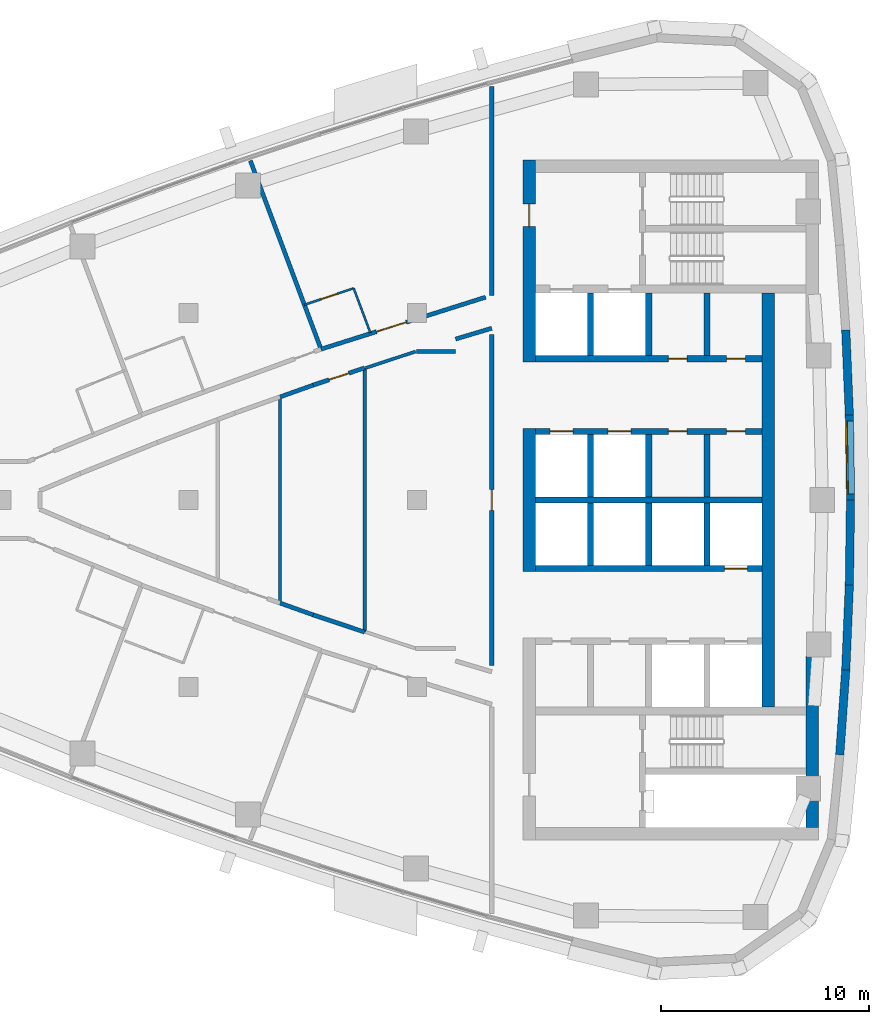
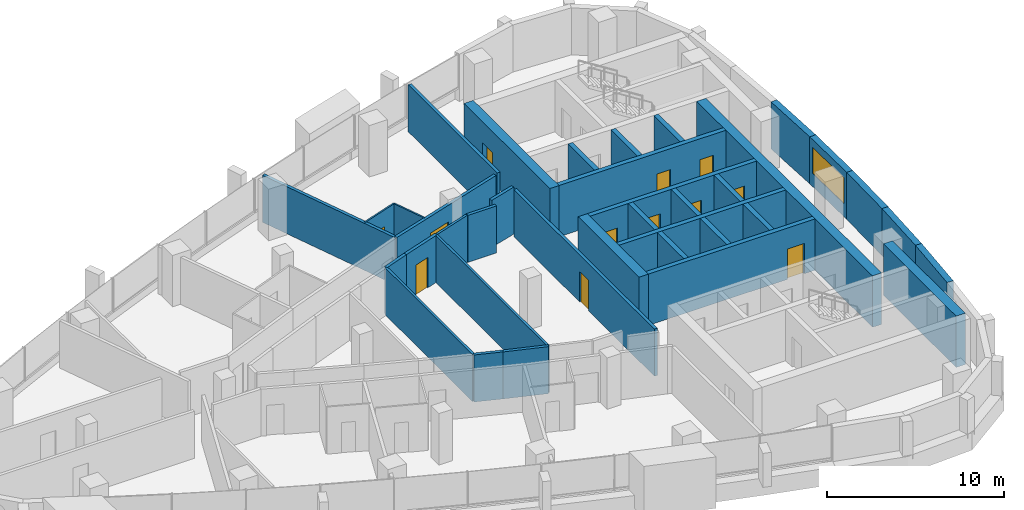
# One storey, part 10 of 15: 37 walls, 12 doors, 1 window, 13 openings.
"""IFC4 building model written with IfcOpenShell, lengths in metres."""

from ifc_helpers import new_model, si_unit, direction, frame, frame_2d, origin, place, context, subcontext, project, spatial, polyline, rectangle, outline, extrude, material, layer, layer_set, type_object, element, fill, save


model = new_model("IFC4")

# Units and contexts
model_context = context("Model", 3, precision=1e-05, world=origin(), true_north=direction((0.0, 1.0)))
body_context = subcontext(model_context, "Body", "Model", "MODEL_VIEW")
ifc_project = project(units=[si_unit("LENGTHUNIT", "METRE"), si_unit("AREAUNIT", "SQUARE_METRE"), si_unit("VOLUMEUNIT", "CUBIC_METRE"), si_unit("PLANEANGLEUNIT", "RADIAN"), si_unit("MASSUNIT", "GRAM", prefix="KILO")], contexts=[model_context])

# Site, building, storey
site_placement = place(None, origin())
site = spatial("IfcSite", under=ifc_project, at=site_placement, CompositionType="ELEMENT")
building_placement = place(site_placement, origin())
building = spatial("IfcBuilding", under=site, at=building_placement, Name="Ostrand Prow Hotel Tower", CompositionType="ELEMENT")
storey_placement = place(building_placement, frame((0.0, 0.0, 242.10009765625)))
storey = spatial("IfcBuildingStorey", under=building, at=storey_placement, Name="L61", CompositionType="ELEMENT", Elevation=242.10009765625)

# Wall
ifc_material_1 = material(Name="Concrete C50/60", Category="concrete")
ifc_layer_1 = layer(ifc_material_1, 0.300048828125)
ifc_layer_set_1 = layer_set([ifc_layer_1], Name="Concrete C50/60")
wall_type_1 = type_object("IfcWallType", Name="Core wall 300 C50/60", PredefinedType="SHEAR", material=ifc_layer_set_1)
wall_1_placement = place(storey_placement, frame((50.699951171875, 0.0, 0.0), z_axis=(0.0, 0.0, 1.0), x_axis=(1.0, 0.0, 0.0)))
element("IfcWall", 1, at=wall_1_placement, inside=storey, type_object=wall_type_1, Name="Core wall PW-C", PredefinedType="SHEAR", context=body_context, shape_type="SweptSolid", body=[
    extrude(rectangle(XDim=10.900146484375, YDim=0.300048828125, at=frame_2d((5.4501953125, 0.0))), origin(), (0.0, 0.0, 1.0), 3.5498046875),
])

# Wall, openings, doors
wall_2_placement = place(storey_placement, frame((50.699951171875, 3.300048828125, 0.0), z_axis=(0.0, 0.0, 1.0), x_axis=(1.0, 0.0, 0.0)))
wall_2 = element("IfcWall", 2, at=wall_2_placement, inside=storey, type_object=wall_type_1, Name="Core wall PW-L1-N", PredefinedType="SHEAR", context=body_context, shape_type="SweptSolid", body=[
    extrude(rectangle(XDim=10.900146484375, YDim=0.300048828125, at=frame_2d((5.4501953125, 0.0))), origin(), (0.0, 0.0, 1.0), 3.5498046875),
])
opening_1_placement = place(wall_2_placement, frame((0.699951171875, 0.0, 0.0)))
opening_1 = element("IfcOpeningElement", 3, at=opening_1_placement, cuts=wall_2, Name="Opening LD", PredefinedType="OPENING", context=body_context, shape_type="SweptSolid", body=[
    extrude(rectangle(XDim=1.10009765625, YDim=2.10009765625, at=frame_2d((0.550048828125, 1.050048828125))), frame((0.0, 0.159912109375, 0.0), z_axis=(0.0, -1.0, 0.0), x_axis=(1.0, 0.0, 0.0)), (0.0, 0.0, 1.0), 0.320068359375),
])
opening_2_placement = place(wall_2_placement, frame((3.5, 0.0, 0.0)))
opening_2 = element("IfcOpeningElement", 4, at=opening_2_placement, cuts=wall_2, Name="Opening LD", PredefinedType="OPENING", context=body_context, shape_type="SweptSolid", body=[
    extrude(rectangle(XDim=1.10009765625, YDim=2.10009765625, at=frame_2d((0.550048828125, 1.050048828125))), frame((0.0, 0.159912109375, 0.0), z_axis=(0.0, -1.0, 0.0), x_axis=(1.0, 0.0, 0.0)), (0.0, 0.0, 1.0), 0.320068359375),
])
opening_3_placement = place(wall_2_placement, frame((6.39990234375, 0.0, 0.0)))
opening_3 = element("IfcOpeningElement", 5, at=opening_3_placement, cuts=wall_2, Name="Opening FD2", PredefinedType="OPENING", context=body_context, shape_type="SweptSolid", body=[
    extrude(rectangle(XDim=0.89990234375, YDim=2.10009765625, at=frame_2d((0.449951171875, 1.050048828125))), frame((0.0, 0.159912109375, 0.0), z_axis=(0.0, -1.0, 0.0), x_axis=(1.0, 0.0, 0.0)), (0.0, 0.0, 1.0), 0.320068359375),
])
opening_4_placement = place(wall_2_placement, frame((9.199951171875, 0.0, 0.0)))
opening_4 = element("IfcOpeningElement", 6, at=opening_4_placement, cuts=wall_2, Name="Opening FD2", PredefinedType="OPENING", context=body_context, shape_type="SweptSolid", body=[
    extrude(rectangle(XDim=0.89990234375, YDim=2.10009765625, at=frame_2d((0.449951171875, 1.050048828125))), frame((0.0, 0.159912109375, 0.0), z_axis=(0.0, -1.0, 0.0), x_axis=(1.0, 0.0, 0.0)), (0.0, 0.0, 1.0), 0.320068359375),
])
ifc_material_2 = material(Name="Steel fire door", Category="steel")
door_type_1 = type_object("IfcDoorType", Name="Fire door 900 EI120", OperationType="SINGLE_SWING_LEFT", PredefinedType="DOOR", material=ifc_material_2)
door_1_placement = place(opening_3_placement, origin())
door_1 = element("IfcDoor", 7, at=door_1_placement, inside=storey, type_object=door_type_1, Name="DOOR", OperationType="SINGLE_SWING_LEFT", OverallHeight=2.10009765625, OverallWidth=0.89990234375, PredefinedType="DOOR", context=body_context, shape_type="SweptSolid", body=[
    extrude(rectangle(XDim=0.89990234375, YDim=2.10009765625, at=frame_2d((0.449951171875, 1.050048828125))), frame((0.0, 0.02490234375, 0.0), z_axis=(0.0, -1.0, 0.0), x_axis=(1.0, 0.0, 0.0)), (0.0, 0.0, 1.0), 0.050048828125),
])
fill(opening_3, door_1)
door_2_placement = place(opening_4_placement, origin())
door_2 = element("IfcDoor", 8, at=door_2_placement, inside=storey, type_object=door_type_1, Name="DOOR", OperationType="SINGLE_SWING_LEFT", OverallHeight=2.10009765625, OverallWidth=0.89990234375, PredefinedType="DOOR", context=body_context, shape_type="SweptSolid", body=[
    extrude(rectangle(XDim=0.89990234375, YDim=2.10009765625, at=frame_2d((0.449951171875, 1.050048828125))), frame((0.0, 0.02490234375, 0.0), z_axis=(0.0, -1.0, 0.0), x_axis=(1.0, 0.0, 0.0)), (0.0, 0.0, 1.0), 0.050048828125),
])
fill(opening_4, door_2)
ifc_material_3 = material(Name="Stainless steel door", Category="steel")
door_type_2 = type_object("IfcDoorType", Name="Lift landing door 1100", OperationType="DOUBLE_DOOR_SLIDING", PredefinedType="DOOR", material=ifc_material_3)
door_3_placement = place(opening_1_placement, origin())
door_3 = element("IfcDoor", 9, at=door_3_placement, inside=storey, type_object=door_type_2, Name="LIFT LANDING DOOR", OperationType="DOUBLE_DOOR_SLIDING", OverallHeight=2.10009765625, OverallWidth=1.10009765625, PredefinedType="DOOR", context=body_context, shape_type="SweptSolid", body=[
    extrude(rectangle(XDim=1.10009765625, YDim=2.10009765625, at=frame_2d((0.550048828125, 1.050048828125))), frame((0.0, 0.02490234375, 0.0), z_axis=(0.0, -1.0, 0.0), x_axis=(1.0, 0.0, 0.0)), (0.0, 0.0, 1.0), 0.050048828125),
])
fill(opening_1, door_3)
door_4_placement = place(opening_2_placement, origin())
door_4 = element("IfcDoor", 10, at=door_4_placement, inside=storey, type_object=door_type_2, Name="LIFT LANDING DOOR", OperationType="DOUBLE_DOOR_SLIDING", OverallHeight=2.10009765625, OverallWidth=1.10009765625, PredefinedType="DOOR", context=body_context, shape_type="SweptSolid", body=[
    extrude(rectangle(XDim=1.10009765625, YDim=2.10009765625, at=frame_2d((0.550048828125, 1.050048828125))), frame((0.0, 0.02490234375, 0.0), z_axis=(0.0, -1.0, 0.0), x_axis=(1.0, 0.0, 0.0)), (0.0, 0.0, 1.0), 0.050048828125),
])
fill(opening_2, door_4)

wall_3_placement = place(storey_placement, frame((50.699951171875, 6.800048828125, 0.0), z_axis=(0.0, 0.0, 1.0), x_axis=(1.0, 0.0, 0.0)))
wall_3 = element("IfcWall", 11, at=wall_3_placement, inside=storey, type_object=wall_type_1, Name="Core wall PW-L2-N", PredefinedType="SHEAR", context=body_context, shape_type="SweptSolid", body=[
    extrude(rectangle(XDim=10.900146484375, YDim=0.300048828125, at=frame_2d((5.4501953125, 0.0))), origin(), (0.0, 0.0, 1.0), 3.5498046875),
])
opening_5_placement = place(wall_3_placement, frame((6.39990234375, 0.0, 0.0)))
opening_5 = element("IfcOpeningElement", 12, at=opening_5_placement, cuts=wall_3, Name="Opening FD2", PredefinedType="OPENING", context=body_context, shape_type="SweptSolid", body=[
    extrude(rectangle(XDim=0.89990234375, YDim=2.10009765625, at=frame_2d((0.449951171875, 1.050048828125))), frame((0.0, 0.159912109375, 0.0), z_axis=(0.0, -1.0, 0.0), x_axis=(1.0, 0.0, 0.0)), (0.0, 0.0, 1.0), 0.320068359375),
])
opening_6_placement = place(wall_3_placement, frame((9.199951171875, 0.0, 0.0)))
opening_6 = element("IfcOpeningElement", 13, at=opening_6_placement, cuts=wall_3, Name="Opening FD2", PredefinedType="OPENING", context=body_context, shape_type="SweptSolid", body=[
    extrude(rectangle(XDim=0.89990234375, YDim=2.10009765625, at=frame_2d((0.449951171875, 1.050048828125))), frame((0.0, 0.159912109375, 0.0), z_axis=(0.0, -1.0, 0.0), x_axis=(1.0, 0.0, 0.0)), (0.0, 0.0, 1.0), 0.320068359375),
])
door_5_placement = place(opening_5_placement, origin())
door_5 = element("IfcDoor", 14, at=door_5_placement, inside=storey, type_object=door_type_1, Name="DOOR", OperationType="SINGLE_SWING_LEFT", OverallHeight=2.10009765625, OverallWidth=0.89990234375, PredefinedType="DOOR", context=body_context, shape_type="SweptSolid", body=[
    extrude(rectangle(XDim=0.89990234375, YDim=2.10009765625, at=frame_2d((0.449951171875, 1.050048828125))), frame((0.0, 0.02490234375, 0.0), z_axis=(0.0, -1.0, 0.0), x_axis=(1.0, 0.0, 0.0)), (0.0, 0.0, 1.0), 0.050048828125),
])
fill(opening_5, door_5)
door_6_placement = place(opening_6_placement, origin())
door_6 = element("IfcDoor", 15, at=door_6_placement, inside=storey, type_object=door_type_1, Name="DOOR", OperationType="SINGLE_SWING_LEFT", OverallHeight=2.10009765625, OverallWidth=0.89990234375, PredefinedType="DOOR", context=body_context, shape_type="SweptSolid", body=[
    extrude(rectangle(XDim=0.89990234375, YDim=2.10009765625, at=frame_2d((0.449951171875, 1.050048828125))), frame((0.0, 0.02490234375, 0.0), z_axis=(0.0, -1.0, 0.0), x_axis=(1.0, 0.0, 0.0)), (0.0, 0.0, 1.0), 0.050048828125),
])
fill(opening_6, door_6)

# Walls
for number, where, z_axis, x_axis, name in (
    (16, (53.35009765625, 0.14990234375, 0.0), (0.0, 0.0, 1.0), (0.0, 1.0, 0.0), "Core wall PW-R1-NB"),
    (17, (53.35009765625, 6.949951171875, 0.0), (0.0, 0.0, 1.0), (0.0, 1.0, 0.0), "Core wall PW-R1-NA"),
    (18, (56.14990234375, 0.14990234375, 0.0), (0.0, 0.0, 1.0), (0.0, 1.0, 0.0), "Core wall PW-R2-NB"),
    (19, (56.14990234375, 6.949951171875, 0.0), (0.0, 0.0, 1.0), (0.0, 1.0, 0.0), "Core wall PW-R2-NA"),
    (20, (58.949951171875, 0.14990234375, 0.0), (0.0, 0.0, 1.0), (0.0, 1.0, 0.0), "Core wall PW-R3-NB"),
    (21, (58.949951171875, 6.949951171875, 0.0), (0.0, 0.0, 1.0), (0.0, 1.0, 0.0), "Core wall PW-R3-NA"),
):
    element("IfcWall", number, at=place(storey_placement, frame(where, z_axis=z_axis, x_axis=x_axis)), inside=storey, type_object=wall_type_1, Name=name, PredefinedType="SHEAR", context=body_context, shape_type="SweptSolid", body=[
        extrude(rectangle(XDim=3.0, YDim=0.300048828125, at=frame_2d((1.5, 0.0))), origin(), (0.0, 0.0, 1.0), 3.5498046875),
    ])

# Wall, opening, door
wall_4_placement = place(storey_placement, frame((50.699951171875, -3.300048828125, 0.0), z_axis=(0.0, 0.0, 1.0), x_axis=(1.0, 0.0, 0.0)))
wall_4 = element("IfcWall", 22, at=wall_4_placement, inside=storey, type_object=wall_type_1, Name="Core wall PW-L1-S", PredefinedType="SHEAR", context=body_context, shape_type="SweptSolid", body=[
    extrude(rectangle(XDim=10.900146484375, YDim=0.300048828125, at=frame_2d((5.4501953125, 0.0))), origin(), (0.0, 0.0, 1.0), 3.5498046875),
])
opening_7_placement = place(wall_4_placement, frame((9.10009765625, 0.0, 0.0)))
opening_7 = element("IfcOpeningElement", 23, at=opening_7_placement, cuts=wall_4, Name="Opening LD", PredefinedType="OPENING", context=body_context, shape_type="SweptSolid", body=[
    extrude(rectangle(XDim=1.10009765625, YDim=2.10009765625, at=frame_2d((0.550048828125, 1.050048828125))), frame((0.0, 0.159912109375, 0.0), z_axis=(0.0, -1.0, 0.0), x_axis=(1.0, 0.0, 0.0)), (0.0, 0.0, 1.0), 0.320068359375),
])
door_7_placement = place(opening_7_placement, origin())
door_7 = element("IfcDoor", 24, at=door_7_placement, inside=storey, type_object=door_type_2, Name="LIFT LANDING DOOR", OperationType="DOUBLE_DOOR_SLIDING", OverallHeight=2.10009765625, OverallWidth=1.10009765625, PredefinedType="DOOR", context=body_context, shape_type="SweptSolid", body=[
    extrude(rectangle(XDim=1.10009765625, YDim=2.10009765625, at=frame_2d((0.550048828125, 1.050048828125))), frame((0.0, 0.02490234375, 0.0), z_axis=(0.0, -1.0, 0.0), x_axis=(1.0, 0.0, 0.0)), (0.0, 0.0, 1.0), 0.050048828125),
])
fill(opening_7, door_7)

# Walls
for number, where, z_axis, x_axis, name in (
    (25, (53.35009765625, -3.14990234375, 0.0), (0.0, 0.0, 1.0), (0.0, 1.0, 0.0), "Core wall PW-R1-SB"),
    (26, (56.14990234375, -3.14990234375, 0.0), (0.0, 0.0, 1.0), (0.0, 1.0, 0.0), "Core wall PW-R2-SB"),
    (27, (58.949951171875, -3.14990234375, 0.0), (0.0, 0.0, 1.0), (0.0, 1.0, 0.0), "Core wall PW-R3-SB"),
):
    element("IfcWall", number, at=place(storey_placement, frame(where, z_axis=z_axis, x_axis=x_axis)), inside=storey, type_object=wall_type_1, Name=name, PredefinedType="SHEAR", context=body_context, shape_type="SweptSolid", body=[
        extrude(rectangle(XDim=3.0, YDim=0.300048828125, at=frame_2d((1.5, 0.0))), origin(), (0.0, 0.0, 1.0), 3.5498046875),
    ])

# Wall, opening, door
ifc_material_4 = material(Name="Concrete C50/60", Category="concrete")
ifc_layer_2 = layer(ifc_material_4, 0.60009765625)
ifc_layer_set_2 = layer_set([ifc_layer_2], Name="Concrete C50/60")
wall_type_2 = type_object("IfcWallType", Name="Core wall 600 C50/60", PredefinedType="SHEAR", material=ifc_layer_set_2)
wall_5_placement = place(storey_placement, frame((50.39990234375, 6.64990234375, 0.0), z_axis=(0.0, 0.0, 1.0), x_axis=(0.0, 1.0, 0.0)))
wall_5 = element("IfcWall", 28, at=wall_5_placement, inside=storey, type_object=wall_type_2, Name="Core wall CW-W-N", PredefinedType="SHEAR", context=body_context, shape_type="SweptSolid", body=[
    extrude(rectangle(XDim=9.7001953125, YDim=0.60009765625, at=frame_2d((4.85009765625, 0.0))), origin(), (0.0, 0.0, 1.0), 3.5498046875),
])
opening_8_placement = place(wall_5_placement, frame((6.5, 0.0, 0.0)))
opening_8 = element("IfcOpeningElement", 29, at=opening_8_placement, cuts=wall_5, Name="Opening FD1", PredefinedType="OPENING", context=body_context, shape_type="SweptSolid", body=[
    extrude(rectangle(XDim=1.10009765625, YDim=2.10009765625, at=frame_2d((0.550048828125, 1.050048828125))), frame((0.0, 0.31005859375, 0.0), z_axis=(0.0, -1.0, 0.0), x_axis=(1.0, 0.0, 0.0)), (0.0, 0.0, 1.0), 0.6201171875),
])
ifc_material_5 = material(Name="Steel fire door", Category="steel")
door_type_3 = type_object("IfcDoorType", Name="Fire door 1100 EI120", OperationType="SINGLE_SWING_RIGHT", PredefinedType="DOOR", material=ifc_material_5)
door_8_placement = place(opening_8_placement, origin())
door_8 = element("IfcDoor", 30, at=door_8_placement, inside=storey, type_object=door_type_3, Name="FIRE DOOR", OperationType="SINGLE_SWING_RIGHT", OverallHeight=2.10009765625, OverallWidth=1.10009765625, PredefinedType="DOOR", context=body_context, shape_type="SweptSolid", body=[
    extrude(rectangle(XDim=1.10009765625, YDim=2.10009765625, at=frame_2d((0.550048828125, 1.050048828125))), frame((0.0, 0.02490234375, 0.0), z_axis=(0.0, -1.0, 0.0), x_axis=(1.0, 0.0, 0.0)), (0.0, 0.0, 1.0), 0.050048828125),
])
fill(opening_8, door_8)

# Walls
wall_6_placement = place(storey_placement, frame((50.39990234375, -3.449951171875, 0.0), z_axis=(0.0, 0.0, 1.0), x_axis=(0.0, 1.0, 0.0)))
element("IfcWall", 31, at=wall_6_placement, inside=storey, type_object=wall_type_2, Name="Core wall CW-W-C", PredefinedType="SHEAR", context=body_context, shape_type="SweptSolid", body=[
    extrude(rectangle(XDim=6.89990234375, YDim=0.60009765625, at=frame_2d((3.449951171875, 0.0))), origin(), (0.0, 0.0, 1.0), 3.5498046875),
])
wall_7_placement = place(storey_placement, frame((64.02001953125, -15.75, 0.0), z_axis=(0.0, 0.0, 1.0), x_axis=(0.0, 1.0, 0.0)))
element("IfcWall", 32, at=wall_7_placement, inside=storey, type_object=wall_type_2, Name="Core wall CW-E-S", PredefinedType="SHEAR", context=body_context, shape_type="SweptSolid", body=[
    extrude(rectangle(XDim=8.247802734375, YDim=0.60009765625, at=frame_2d((4.1240234375, 0.0))), origin(), (0.0, 0.0, 1.0), 3.5498046875),
])
wall_8_placement = place(storey_placement, frame((61.89990234375, -9.949951171875, 0.0), z_axis=(0.0, 0.0, 1.0), x_axis=(0.0, 1.0, 0.0)))
element("IfcWall", 33, at=wall_8_placement, inside=storey, type_object=wall_type_2, Name="Core wall CW-E-C", PredefinedType="SHEAR", context=body_context, shape_type="SweptSolid", body=[
    extrude(rectangle(XDim=19.89990234375, YDim=0.60009765625, at=frame_2d((9.949951171875, 0.0))), origin(), (0.0, 0.0, 1.0), 3.5498046875),
])

# Wall, opening, door
ifc_material_6 = material(Name="Plasterboard partition")
ifc_layer_3 = layer(ifc_material_6, 0.10009765625)
ifc_layer_set_3 = layer_set([ifc_layer_3], Name="Plasterboard partition")
wall_type_3 = type_object("IfcWallType", Name="Partition 100 bathroom wall", PredefinedType="PARTITIONING", material=ifc_layer_set_3)
wall_9_placement = place(storey_placement, frame((39.57861328125, 9.393310546875, 0.0), z_axis=(0.0, 0.0, 1.0), x_axis=(0.948468383404, 0.316871781141, 0.0)))
wall_9 = element("IfcWall", 34, at=wall_9_placement, inside=storey, type_object=wall_type_3, Name="BATHROOM WALL", PredefinedType="PARTITIONING", context=body_context, shape_type="SweptSolid", body=[
    extrude(rectangle(XDim=2.501708984375, YDim=0.10009765625, at=frame_2d((1.2509765625, 0.0))), origin(), (0.0, 0.0, 1.0), 3.25),
])
opening_9_placement = place(wall_9_placement, frame((0.85009765625, 0.0, 0.0)))
opening_9 = element("IfcOpeningElement", 35, at=opening_9_placement, cuts=wall_9, Name="Opening D2", PredefinedType="OPENING", context=body_context, shape_type="SweptSolid", body=[
    extrude(rectangle(XDim=0.800048828125, YDim=2.10009765625, at=frame_2d((0.39990234375, 1.050048828125))), frame((0.0, 0.06005859375, 0.0), z_axis=(0.0, -1.0, 0.0), x_axis=(1.0, 0.0, 0.0)), (0.0, 0.0, 1.0), 0.1201171875),
])
ifc_material_7 = material(Name="Timber door leaf", Category="wood")
door_type_4 = type_object("IfcDoorType", Name="Bathroom door 800", OperationType="SINGLE_SWING_LEFT", PredefinedType="DOOR", material=ifc_material_7)
door_9_placement = place(opening_9_placement, origin())
door_9 = element("IfcDoor", 36, at=door_9_placement, inside=storey, type_object=door_type_4, Name="DOOR", OperationType="SINGLE_SWING_LEFT", OverallHeight=2.10009765625, OverallWidth=0.800048828125, PredefinedType="DOOR", context=body_context, shape_type="SweptSolid", body=[
    extrude(rectangle(XDim=0.800048828125, YDim=2.10009765625, at=frame_2d((0.39990234375, 1.050048828125))), frame((0.0, 0.02490234375, 0.0), z_axis=(0.0, -1.0, 0.0), x_axis=(1.0, 0.0, 0.0)), (0.0, 0.0, 1.0), 0.050048828125),
])
fill(opening_9, door_9)

# Walls
wall_10_placement = place(storey_placement, frame((41.951416015625, 10.185791015625, 0.0), z_axis=(0.0, 0.0, 1.0), x_axis=(0.351146927505, -0.936320370014, 0.0)))
element("IfcWall", 37, at=wall_10_placement, inside=storey, type_object=wall_type_3, Name="BATHROOM WALL", PredefinedType="PARTITIONING", context=body_context, shape_type="SweptSolid", body=[
    extrude(rectangle(XDim=2.2783203125, YDim=0.10009765625, at=frame_2d((1.13916015625, 0.0))), origin(), (0.0, 0.0, 1.0), 3.25),
])
ifc_material_8 = material(Name="Plasterboard partition")
ifc_layer_4 = layer(ifc_material_8, 0.14990234375)
ifc_layer_set_4 = layer_set([ifc_layer_4], Name="Plasterboard partition")
wall_type_4 = type_object("IfcWallType", Name="Partition 150 room partition", PredefinedType="PARTITIONING", material=ifc_layer_set_4)
wall_11_placement = place(storey_placement, frame((38.409912109375, -4.960693359375, 0.0), z_axis=(0.0, 0.0, 1.0), x_axis=(0.0, 1.0, 0.0)))
element("IfcWall", 38, at=wall_11_placement, inside=storey, type_object=wall_type_4, Name="ROOM PARTITION", PredefinedType="PARTITIONING", context=body_context, shape_type="SweptSolid", body=[
    extrude(rectangle(XDim=9.92138671875, YDim=0.14990234375, at=frame_2d((4.960693359375, 0.0))), origin(), (0.0, 0.0, 1.0), 3.25),
])
wall_12_placement = place(storey_placement, frame((42.48583984375, -6.358154296875, 0.0), z_axis=(0.0, 0.0, 1.0), x_axis=(0.0, 1.0, 0.0)))
element("IfcWall", 39, at=wall_12_placement, inside=storey, type_object=wall_type_4, Name="ROOM PARTITION", PredefinedType="PARTITIONING", context=body_context, shape_type="SweptSolid", body=[
    extrude(rectangle(XDim=12.71630859375, YDim=0.14990234375, at=frame_2d((6.358154296875, 0.0))), origin(), (0.0, 0.0, 1.0), 3.25),
])
wall_13_placement = place(storey_placement, frame((42.52587890625, 6.353271484375, 0.0), z_axis=(0.0, 0.0, 1.0), x_axis=(0.949956634582, 0.312381805511, 0.0)))
element("IfcWall", 40, at=wall_13_placement, inside=storey, type_object=wall_type_4, Name="ROOM PARTITION", PredefinedType="PARTITIONING", context=body_context, shape_type="SweptSolid", body=[
    extrude(rectangle(XDim=2.53466796875, YDim=0.14990234375, at=frame_2d((1.267333984375, 0.0))), origin(), (0.0, 0.0, 1.0), 3.25),
])

# Wall, opening, door
ifc_material_9 = material(Name="Plasterboard partition")
ifc_layer_5 = layer(ifc_material_9, 0.199951171875)
ifc_layer_set_5 = layer_set([ifc_layer_5], Name="Plasterboard partition")
wall_type_5 = type_object("IfcWallType", Name="Partition 200 corridor wall", PredefinedType="PARTITIONING", material=ifc_layer_set_5)
wall_14_placement = place(storey_placement, frame((39.999267578125, 5.52734375, 0.0), z_axis=(0.0, 0.0, 1.0), x_axis=(0.948459565489, 0.316898173918, 0.0)))
wall_14 = element("IfcWall", 41, at=wall_14_placement, inside=storey, type_object=wall_type_5, Name="CORRIDOR WALL", PredefinedType="PARTITIONING", context=body_context, shape_type="SweptSolid", body=[
    extrude(rectangle(XDim=2.62158203125, YDim=0.199951171875, at=frame_2d((1.310791015625, 0.0))), origin(), (0.0, 0.0, 1.0), 3.25),
])
opening_10_placement = place(wall_14_placement, frame((0.810791015625, 0.0, 0.0)))
opening_10 = element("IfcOpeningElement", 42, at=opening_10_placement, cuts=wall_14, Name="Opening D1", PredefinedType="OPENING", context=body_context, shape_type="SweptSolid", body=[
    extrude(rectangle(XDim=1.0, YDim=2.10009765625, at=frame_2d((0.5, 1.050048828125))), frame((0.0, 0.10986328125, 0.0), z_axis=(0.0, -1.0, 0.0), x_axis=(1.0, 0.0, 0.0)), (0.0, 0.0, 1.0), 0.219970703125),
])
ifc_material_10 = material(Name="Timber door leaf", Category="wood")
door_type_5 = type_object("IfcDoorType", Name="Guest room door 1000", OperationType="SINGLE_SWING_LEFT", PredefinedType="DOOR", material=ifc_material_10)
door_10_placement = place(opening_10_placement, origin())
door_10 = element("IfcDoor", 43, at=door_10_placement, inside=storey, type_object=door_type_5, Name="DOOR", OperationType="SINGLE_SWING_LEFT", OverallHeight=2.10009765625, OverallWidth=1.0, PredefinedType="DOOR", context=body_context, shape_type="SweptSolid", body=[
    extrude(rectangle(XDim=1.0, YDim=2.10009765625, at=frame_2d((0.5, 1.050048828125))), frame((0.0, 0.02490234375, 0.0), z_axis=(0.0, -1.0, 0.0), x_axis=(1.0, 0.0, 0.0)), (0.0, 0.0, 1.0), 0.050048828125),
])
fill(opening_10, door_10)

# Walls
wall_15_placement = place(storey_placement, frame((42.48583984375, -6.358154296875, 0.0), z_axis=(0.0, 0.0, 1.0), x_axis=(-0.948459565489, 0.316898173918, 0.0)))
element("IfcWall", 44, at=wall_15_placement, inside=storey, type_object=wall_type_5, Name="CORRIDOR WALL", PredefinedType="PARTITIONING", context=body_context, shape_type="SweptSolid", body=[
    extrude(rectangle(XDim=2.62158203125, YDim=0.199951171875, at=frame_2d((1.310791015625, 0.0))), origin(), (0.0, 0.0, 1.0), 3.25),
])
for number, where, z_axis, x_axis, name in (
    (45, (39.999267578125, -5.52734375, 0.0), (0.0, 0.0, 1.0), (-0.941925088036, 0.335823061341, 0.0), "CORRIDOR WALL"),
    (46, (38.409912109375, 4.960693359375, 0.0), (0.0, 0.0, 1.0), (0.941925088036, 0.335823061341, 0.0), "CORRIDOR WALL"),
):
    element("IfcWall", number, at=place(storey_placement, frame(where, z_axis=z_axis, x_axis=x_axis)), inside=storey, type_object=wall_type_5, Name=name, PredefinedType="PARTITIONING", context=body_context, shape_type="SweptSolid", body=[
        extrude(rectangle(XDim=1.687255859375, YDim=0.199951171875, at=frame_2d((0.84375, 0.0))), origin(), (0.0, 0.0, 1.0), 3.25),
    ])

# Wall, opening, door
wall_16_placement = place(storey_placement, frame((40.3798828125, 7.257080078125, 0.0), z_axis=(0.0, 0.0, 1.0), x_axis=(0.953536454425, 0.301277662768, 0.0)))
wall_16 = element("IfcWall", 47, at=wall_16_placement, inside=storey, type_object=wall_type_5, Name="CORRIDOR WALL", PredefinedType="PARTITIONING", context=body_context, shape_type="SweptSolid", body=[
    extrude(rectangle(XDim=8.30615234375, YDim=0.199951171875, at=frame_2d((4.153076171875, 0.0))), origin(), (0.0, 0.0, 1.0), 3.25),
])
opening_11_placement = place(wall_16_placement, frame((2.800048828125, 0.0, 0.0)))
opening_11 = element("IfcOpeningElement", 48, at=opening_11_placement, cuts=wall_16, Name="Opening D15", PredefinedType="OPENING", context=body_context, shape_type="SweptSolid", body=[
    extrude(rectangle(XDim=1.5, YDim=2.10009765625, at=frame_2d((0.75, 1.050048828125))), frame((0.0, 0.10986328125, 0.0), z_axis=(0.0, -1.0, 0.0), x_axis=(1.0, 0.0, 0.0)), (0.0, 0.0, 1.0), 0.219970703125),
])
ifc_material_11 = material(Name="Timber door leaf", Category="wood")
door_type_6 = type_object("IfcDoorType", Name="Double door 1500", OperationType="DOUBLE_DOOR_SINGLE_SWING", PredefinedType="DOOR", material=ifc_material_11)
door_11_placement = place(opening_11_placement, origin())
door_11 = element("IfcDoor", 49, at=door_11_placement, inside=storey, type_object=door_type_6, Name="DOOR", OperationType="DOUBLE_DOOR_SINGLE_SWING", OverallHeight=2.10009765625, OverallWidth=1.5, PredefinedType="DOOR", context=body_context, shape_type="SweptSolid", body=[
    extrude(rectangle(XDim=1.5, YDim=2.10009765625, at=frame_2d((0.75, 1.050048828125))), frame((0.0, 0.02490234375, 0.0), z_axis=(0.0, -1.0, 0.0), x_axis=(1.0, 0.0, 0.0)), (0.0, 0.0, 1.0), 0.050048828125),
])
fill(opening_11, door_11)

wall_17_placement = place(storey_placement, frame((48.594970703125, 7.95703125, 0.0), z_axis=(0.0, 0.0, 1.0), x_axis=(0.0, -1.0, 0.0)))
wall_17 = element("IfcWall", 50, at=wall_17_placement, inside=storey, type_object=wall_type_5, Name="CORRIDOR WALL", PredefinedType="PARTITIONING", context=body_context, shape_type="SweptSolid", body=[
    extrude(rectangle(XDim=15.9140625, YDim=0.199951171875, at=frame_2d((7.95703125, 0.0))), origin(), (0.0, 0.0, 1.0), 3.25),
])
opening_12_placement = place(wall_17_placement, frame((7.45703125, 0.0, 0.0)))
opening_12 = element("IfcOpeningElement", 51, at=opening_12_placement, cuts=wall_17, Name="Opening D1R", PredefinedType="OPENING", context=body_context, shape_type="SweptSolid", body=[
    extrude(rectangle(XDim=1.0, YDim=2.10009765625, at=frame_2d((0.5, 1.050048828125))), frame((0.0, 0.10986328125, 0.0), z_axis=(0.0, -1.0, 0.0), x_axis=(1.0, 0.0, 0.0)), (0.0, 0.0, 1.0), 0.219970703125),
])
ifc_material_12 = material(Name="Timber door leaf", Category="wood")
door_type_7 = type_object("IfcDoorType", Name="Guest room door 1000 right", OperationType="SINGLE_SWING_RIGHT", PredefinedType="DOOR", material=ifc_material_12)
door_12_placement = place(opening_12_placement, origin())
door_12 = element("IfcDoor", 52, at=door_12_placement, inside=storey, type_object=door_type_7, Name="DOOR", OperationType="SINGLE_SWING_RIGHT", OverallHeight=2.10009765625, OverallWidth=1.0, PredefinedType="DOOR", context=body_context, shape_type="SweptSolid", body=[
    extrude(rectangle(XDim=1.0, YDim=2.10009765625, at=frame_2d((0.5, 1.050048828125))), frame((0.0, 0.02490234375, 0.0), z_axis=(0.0, -1.0, 0.0), x_axis=(1.0, 0.0, 0.0)), (0.0, 0.0, 1.0), 0.050048828125),
])
fill(opening_12, door_12)

# Walls
wall_18_placement = place(storey_placement, frame((44.973388671875, 7.14501953125, 0.0), z_axis=(0.0, 0.0, 1.0), x_axis=(0.999999991552, 0.0001299883, 0.0)))
element("IfcWall", 53, at=wall_18_placement, inside=storey, type_object=wall_type_5, Name="CORRIDOR WALL", PredefinedType="PARTITIONING", context=body_context, shape_type="SweptSolid", body=[
    extrude(rectangle(XDim=1.878173828125, YDim=0.199951171875, at=frame_2d((0.93896484375, 0.0))), origin(), (0.0, 0.0, 1.0), 3.25),
])
wall_19_placement = place(storey_placement, frame((46.85498046875, 7.744140625, 0.0), z_axis=(0.0, 0.0, 1.0), x_axis=(0.958014760688, 0.286718883759, 0.0)))
element("IfcWall", 54, at=wall_19_placement, inside=storey, type_object=wall_type_5, Name="CORRIDOR WALL", PredefinedType="PARTITIONING", context=body_context, shape_type="SweptSolid", body=[
    extrude(rectangle(XDim=1.816162109375, YDim=0.199951171875, at=frame_2d((0.908203125, 0.0))), origin(), (0.0, 0.0, 1.0), 3.25),
])
wall_20_placement = place(storey_placement, frame((48.594970703125, 19.904296875, 0.0), z_axis=(0.0, 0.0, 1.0), x_axis=(0.0, -1.0, 0.0)))
element("IfcWall", 55, at=wall_20_placement, inside=storey, type_object=wall_type_5, Name="CORRIDOR WALL", PredefinedType="PARTITIONING", context=body_context, shape_type="SweptSolid", body=[
    extrude(rectangle(XDim=10.0673828125, YDim=0.199951171875, at=frame_2d((5.03369140625, 0.0))), origin(), (0.0, 0.0, 1.0), 3.25),
])
ifc_material_13 = material(Name="Plasterboard partition")
ifc_layer_6 = layer(ifc_material_13, 0.199951171875)
ifc_layer_set_6 = layer_set([ifc_layer_6], Name="Plasterboard partition")
wall_type_6 = type_object("IfcWallType", Name="Partition 200 key partition", PredefinedType="PARTITIONING", material=ifc_layer_set_6)
wall_21_placement = place(storey_placement, frame((40.38671875, 7.23828125, 0.0), z_axis=(0.0, 0.0, 1.0), x_axis=(-0.351098633881, 0.936338480084, 0.0)))
element("IfcWall", 56, at=wall_21_placement, inside=storey, type_object=wall_type_6, Name="KEY PARTITION", PredefinedType="PARTITIONING", context=body_context, shape_type="SweptSolid", body=[
    extrude(rectangle(XDim=9.70654296875, YDim=0.199951171875, at=frame_2d((4.853271484375, 0.0))), origin(), (0.0, 0.0, 1.0), 3.25),
])
ifc_material_14 = material(Name="Precast concrete C40/50", Category="concrete")
ifc_layer_7 = layer(ifc_material_14, 0.39990234375)
ifc_layer_set_7 = layer_set([ifc_layer_7], Name="Precast concrete C40/50")
wall_type_7 = type_object("IfcWallType", Name="Stone-faced precast wall 400 mm", PredefinedType="NOTDEFINED", material=ifc_layer_set_7)
wall_22_placement = place(storey_placement, frame((65.341552734375, -12.264404296875, 0.0), z_axis=(0.0, 0.0, 1.0), x_axis=(0.070623905352, 0.997503014528, 0.0)))
element("IfcWall", 57, at=wall_22_placement, inside=storey, type_object=wall_type_7, Name="Stone-faced wall back 6", PredefinedType="NOTDEFINED", context=body_context, shape_type="SweptSolid", body=[
    extrude(outline(polyline([(-0.002685546875, -0.199951171875), (4.095703125, -0.199951171875), (4.09033203125, 0.199951171875), (0.002685546875, 0.199951171875), (-0.002685546875, -0.199951171875)])), origin(), (0.0, 0.0, 1.0), 3.25),
])
wall_23_placement = place(storey_placement, frame((65.630615234375, -8.181640625, 0.0), z_axis=(0.0, 0.0, 1.0), x_axis=(0.042352554594, 0.999102728011, 0.0)))
element("IfcWall", 58, at=wall_23_placement, inside=storey, type_object=wall_type_7, Name="Stone-faced wall back 7", PredefinedType="NOTDEFINED", context=body_context, shape_type="SweptSolid", body=[
    extrude(outline(polyline([(-0.002685546875, -0.199951171875), (4.095458984375, -0.199951171875), (4.090087890625, 0.199951171875), (0.002685546875, 0.199951171875), (-0.002685546875, -0.199951171875)])), origin(), (0.0, 0.0, 1.0), 3.25),
])
wall_24_placement = place(storey_placement, frame((65.803955078125, -4.092529296875, 0.0), z_axis=(0.0, 0.0, 1.0), x_axis=(0.014136867892, 0.99990006949, 0.0)))
element("IfcWall", 59, at=wall_24_placement, inside=storey, type_object=wall_type_7, Name="Stone-faced wall back 8", PredefinedType="NOTDEFINED", context=body_context, shape_type="SweptSolid", body=[
    extrude(outline(polyline([(-0.002685546875, -0.199951171875), (4.095703125, -0.199951171875), (4.09033203125, 0.199951171875), (0.002685546875, 0.199951171875), (-0.002685546875, -0.199951171875)])), origin(), (0.0, 0.0, 1.0), 3.25),
])

# Wall, opening, window
wall_25_placement = place(storey_placement, frame((65.86181640625, 0.0, 0.0), z_axis=(0.0, 0.0, 1.0), x_axis=(-0.014136867892, 0.99990006949, 0.0)))
wall_25 = element("IfcWall", 60, at=wall_25_placement, inside=storey, type_object=wall_type_7, Name="Stone-faced wall back 9", PredefinedType="NOTDEFINED", context=body_context, shape_type="SweptSolid", body=[
    extrude(outline(polyline([(-0.002685546875, -0.199951171875), (4.095703125, -0.199951171875), (4.09033203125, 0.199951171875), (0.002685546875, 0.199951171875), (-0.002685546875, -0.199951171875)])), origin(), (0.0, 0.0, 1.0), 3.25),
])
opening_13_placement = place(wall_25_placement, frame((0.29638671875, 0.0, 0.89990234375)))
opening_13 = element("IfcOpeningElement", 61, at=opening_13_placement, cuts=wall_25, Name="Opening WS3-35", PredefinedType="OPENING", context=body_context, shape_type="SweptSolid", body=[
    extrude(rectangle(XDim=3.5, YDim=1.800048828125, at=frame_2d((1.75, 0.89990234375))), frame((0.0, 0.2099609375, 0.0), z_axis=(0.0, -1.0, 0.0), x_axis=(1.0, 0.0, 0.0)), (0.0, 0.0, 1.0), 0.419921875),
])
ifc_material_15 = material(Name="Insulated glass in bronze frame", Category="glass")
window_type = type_object("IfcWindowType", Name="Strip window 3500x1800", PartitioningType="SINGLE_PANEL", PredefinedType="WINDOW", material=ifc_material_15)
window_placement = place(opening_13_placement, origin())
window = element("IfcWindow", 62, at=window_placement, inside=storey, type_object=window_type, Name="Window back 9.1", OverallHeight=1.800048828125, OverallWidth=3.5, PartitioningType="SINGLE_PANEL", PredefinedType="WINDOW", context=body_context, shape_type="SweptSolid", body=[
    extrude(rectangle(XDim=3.5, YDim=1.800048828125, at=frame_2d((1.75, 0.89990234375))), frame((0.0, 0.169921875, 0.0), z_axis=(0.0, -1.0, 0.0), x_axis=(1.0, 0.0, 0.0)), (0.0, 0.0, 1.0), 0.06005859375),
])
fill(opening_13, window)

# Wall
wall_26_placement = place(storey_placement, frame((65.803955078125, 4.092529296875, 0.0), z_axis=(0.0, 0.0, 1.0), x_axis=(-0.042352554594, 0.999102728011, 0.0)))
element("IfcWall", 63, at=wall_26_placement, inside=storey, type_object=wall_type_7, Name="Stone-faced wall back 10", PredefinedType="NOTDEFINED", context=body_context, shape_type="SweptSolid", body=[
    extrude(outline(polyline([(-0.002685546875, -0.199951171875), (4.095458984375, -0.199951171875), (4.090087890625, 0.199951171875), (0.002685546875, 0.199951171875), (-0.002685546875, -0.199951171875)])), origin(), (0.0, 0.0, 1.0), 3.25),
])

save(model, "model.ifc")
